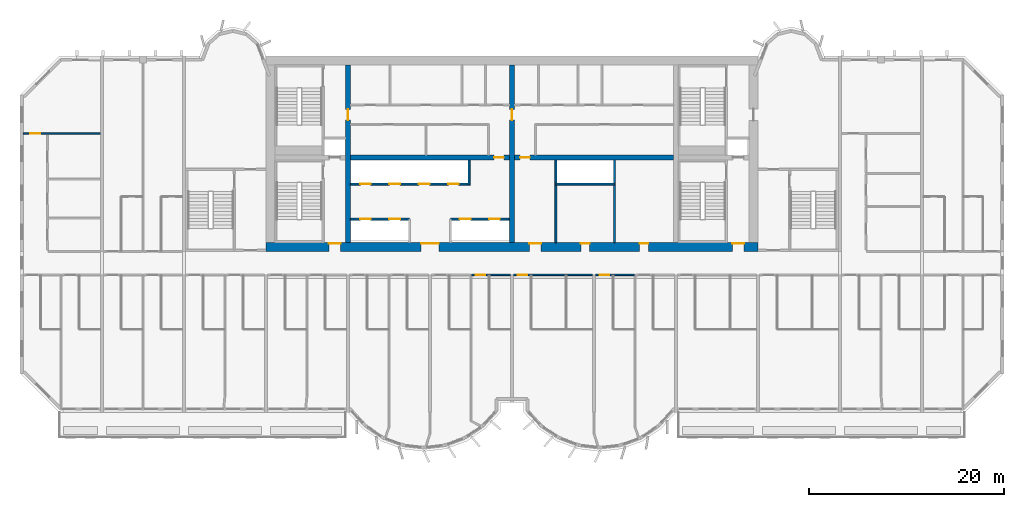
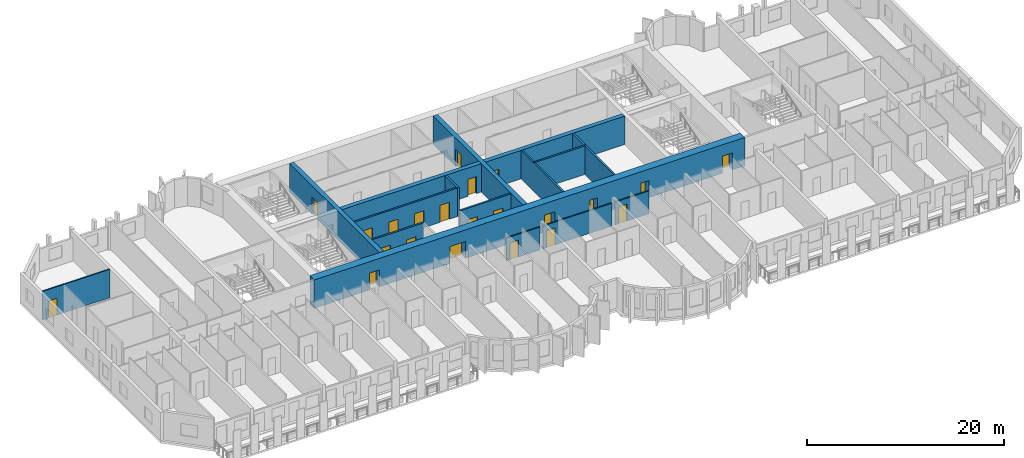
# One storey, part 6 of 14: 22 doors, 16 walls, 22 openings.
"""IFC4 building model written with IfcOpenShell, lengths in metres."""

from ifc_helpers import new_model, si_unit, direction, frame, frame_2d, origin, place, context, subcontext, project, spatial, rectangle, extrude, source, transform, mapped, material, layer, layer_set, type_object, element, fill, save


model = new_model("IFC4")

# Units and contexts
model_context = context("Model", 3, precision=1e-05, world=origin(), true_north=direction((0.0, 1.0)))
body_context = subcontext(model_context, "Body", "Model", "MODEL_VIEW")
ifc_project = project(units=[si_unit("LENGTHUNIT", "METRE"), si_unit("AREAUNIT", "SQUARE_METRE"), si_unit("VOLUMEUNIT", "CUBIC_METRE"), si_unit("PLANEANGLEUNIT", "RADIAN"), si_unit("MASSUNIT", "GRAM", prefix="KILO")], contexts=[model_context])

# Site, building, storey
site_placement = place(None, origin())
site = spatial("IfcSite", under=ifc_project, at=site_placement, CompositionType="ELEMENT")
building_placement = place(site_placement, origin())
building = spatial("IfcBuilding", under=site, at=building_placement, Name="Vanashikhar Sky Hotel", CompositionType="ELEMENT")
storey_placement = place(building_placement, frame((0.0, 0.0, 102.800048828125)))
storey = spatial("IfcBuildingStorey", under=building, at=storey_placement, Name="L24", CompositionType="ELEMENT", Elevation=102.800048828125)

# Wall, openings, doors
ifc_material_1 = material(Name="Concrete M70", Category="concrete")
ifc_layer_1 = layer(ifc_material_1, 0.89990234375)
ifc_layer_set_1 = layer_set([ifc_layer_1], Name="RC core shell wall 900 Concrete M70")
wall_type_1 = type_object("IfcWallType", Name="RC core shell wall 900 Concrete M70", PredefinedType="SHEAR", material=ifc_layer_set_1)
shared_shape_1 = source(origin(), body_context, "Body", "SweptSolid", [
    extrude(rectangle(XDim=50.400146484375, YDim=0.89990234375, at=frame_2d((25.2001953125, 0.0))), origin(), (0.0, 0.0, 1.0), 3.52001953125),
])
wall_1_placement = place(storey_placement, frame((25.199951171875, 22.449951171875, 0.0), z_axis=(0.0, 0.0, 1.0), x_axis=(1.0, 0.0, 0.0)))
wall_1 = element("IfcWall", 1, at=wall_1_placement, inside=storey, type_object=wall_type_1, Name="KW-L24-KS", PredefinedType="SHEAR", context=body_context, shape_type="MappedRepresentation", body=[
    mapped(shared_shape_1, transform((0.0, 0.0, 0.0), scale=1.0)),
])
shared_shape_2 = source(origin(), body_context, "Body", "SweptSolid", [
    extrude(rectangle(XDim=1.800048828125, YDim=2.10009765625, at=frame_2d((0.89990234375, 1.050048828125))), frame((0.0, 0.4599609375, 0.0), z_axis=(0.0, -1.0, 0.0), x_axis=(1.0, 0.0, 0.0)), (0.0, 0.0, 1.0), 0.919921875),
])
opening_1_placement = place(wall_1_placement, frame((15.89990234375, 0.0, 0.0)))
opening_1 = element("IfcOpeningElement", 2, at=opening_1_placement, cuts=wall_1, Name="Opening DC-3-A", PredefinedType="OPENING", context=body_context, shape_type="MappedRepresentation", body=[
    mapped(shared_shape_2, transform((0.0, 0.0, 0.0), scale=1.0)),
])
shared_shape_3 = source(origin(), body_context, "Body", "SweptSolid", [
    extrude(rectangle(XDim=1.199951171875, YDim=2.10009765625, at=frame_2d((0.60009765625, 1.050048828125))), frame((0.0, 0.4599609375, 0.0), z_axis=(0.0, -1.0, 0.0), x_axis=(1.0, 0.0, 0.0)), (0.0, 0.0, 1.0), 0.919921875),
])
opening_2_placement = place(wall_1_placement, frame((26.97509765625, 0.0, 0.0)))
opening_2 = element("IfcOpeningElement", 3, at=opening_2_placement, cuts=wall_1, Name="Opening DC-4-B", PredefinedType="OPENING", context=body_context, shape_type="MappedRepresentation", body=[
    mapped(shared_shape_3, transform((0.0, 0.0, 0.0), scale=1.0)),
])
shared_shape_4 = source(origin(), body_context, "Body", "SweptSolid", [
    extrude(rectangle(XDim=0.89990234375, YDim=2.10009765625, at=frame_2d((0.449951171875, 1.050048828125))), frame((0.0, 0.4599609375, 0.0), z_axis=(0.0, -1.0, 0.0), x_axis=(1.0, 0.0, 0.0)), (0.0, 0.0, 1.0), 0.919921875),
])
opening_3_placement = place(wall_1_placement, frame((32.25, 0.0, 0.0)))
opening_3 = element("IfcOpeningElement", 4, at=opening_3_placement, cuts=wall_1, Name="Opening DC-4-A", PredefinedType="OPENING", context=body_context, shape_type="MappedRepresentation", body=[
    mapped(shared_shape_4, transform((0.0, 0.0, 0.0), scale=1.0)),
])
opening_4_placement = place(wall_1_placement, frame((38.27490234375, 0.0, 0.0)))
opening_4 = element("IfcOpeningElement", 5, at=opening_4_placement, cuts=wall_1, Name="Opening DC-4-A", PredefinedType="OPENING", context=body_context, shape_type="MappedRepresentation", body=[
    mapped(shared_shape_4, transform((0.0, 0.0, 0.0), scale=1.0)),
])
opening_5_placement = place(wall_1_placement, frame((6.449951171875, 0.0, 0.0)))
opening_5 = element("IfcOpeningElement", 6, at=opening_5_placement, cuts=wall_1, Name="Opening DC-2", PredefinedType="OPENING", context=body_context, shape_type="MappedRepresentation", body=[
    mapped(shared_shape_3, transform((0.0, 0.0, 0.0), scale=1.0)),
])
opening_6_placement = place(wall_1_placement, frame((47.77490234375, 0.0, 0.0)))
opening_6 = element("IfcOpeningElement", 7, at=opening_6_placement, cuts=wall_1, Name="Opening DC-2", PredefinedType="OPENING", context=body_context, shape_type="MappedRepresentation", body=[
    mapped(shared_shape_3, transform((0.0, 0.0, 0.0), scale=1.0)),
])
ifc_material_2 = material(Name="Glass", Category="glass")
door_type_1 = type_object("IfcDoorType", Name="Lift lobby entrance door 1800 FD30S", OperationType="NOTDEFINED", PredefinedType="DOOR", material=ifc_material_2)
shared_shape_5 = source(origin(), body_context, "Body", "SweptSolid", [
    extrude(rectangle(XDim=1.800048828125, YDim=2.10009765625, at=frame_2d((0.89990234375, 1.050048828125))), frame((0.0, 0.375, 0.0), z_axis=(0.0, -1.0, 0.0), x_axis=(1.0, 0.0, 0.0)), (0.0, 0.0, 1.0), 0.050048828125),
])
door_1_placement = place(opening_1_placement, origin())
door_1 = element("IfcDoor", 8, at=door_1_placement, inside=storey, type_object=door_type_1, Name="Lift lobby entrance door 1800 FD30S", OperationType="DOUBLE_DOOR_SINGLE_SWING", OverallHeight=2.10009765625, OverallWidth=1.800048828125, PredefinedType="DOOR", context=body_context, shape_type="MappedRepresentation", body=[
    mapped(shared_shape_5, transform((0.0, 0.0, 0.0), scale=1.0)),
])
fill(opening_1, door_1)
ifc_material_3 = material(Name="Steel", Category="steel")
door_type_2 = type_object("IfcDoorType", Name="Service door 1200 FD60", OperationType="NOTDEFINED", PredefinedType="DOOR", material=ifc_material_3)
shared_shape_6 = source(origin(), body_context, "Body", "SweptSolid", [
    extrude(rectangle(XDim=1.199951171875, YDim=2.10009765625, at=frame_2d((0.60009765625, 1.050048828125))), frame((0.0, 0.375, 0.0), z_axis=(0.0, -1.0, 0.0), x_axis=(1.0, 0.0, 0.0)), (0.0, 0.0, 1.0), 0.050048828125),
])
door_2_placement = place(opening_2_placement, origin())
door_2 = element("IfcDoor", 9, at=door_2_placement, inside=storey, type_object=door_type_2, Name="Service door 1200 FD60", OperationType="SINGLE_SWING_LEFT", OverallHeight=2.10009765625, OverallWidth=1.199951171875, PredefinedType="DOOR", context=body_context, shape_type="MappedRepresentation", body=[
    mapped(shared_shape_6, transform((0.0, 0.0, 0.0), scale=1.0)),
])
fill(opening_2, door_2)
door_type_3 = type_object("IfcDoorType", Name="Firefighting lobby door 1200 FD120", OperationType="NOTDEFINED", PredefinedType="DOOR", material=ifc_material_3)
door_3_placement = place(opening_5_placement, origin())
door_3 = element("IfcDoor", 10, at=door_3_placement, inside=storey, type_object=door_type_3, Name="Firefighting lobby door 1200 FD120", OperationType="SINGLE_SWING_LEFT", OverallHeight=2.10009765625, OverallWidth=1.199951171875, PredefinedType="DOOR", context=body_context, shape_type="MappedRepresentation", body=[
    mapped(shared_shape_6, transform((0.0, 0.0, 0.0), scale=1.0)),
])
fill(opening_5, door_3)
door_4_placement = place(opening_6_placement, origin())
door_4 = element("IfcDoor", 11, at=door_4_placement, inside=storey, type_object=door_type_3, Name="Firefighting lobby door 1200 FD120", OperationType="SINGLE_SWING_LEFT", OverallHeight=2.10009765625, OverallWidth=1.199951171875, PredefinedType="DOOR", context=body_context, shape_type="MappedRepresentation", body=[
    mapped(shared_shape_6, transform((0.0, 0.0, 0.0), scale=1.0)),
])
fill(opening_6, door_4)
door_type_4 = type_object("IfcDoorType", Name="Service door 900 FD60", OperationType="NOTDEFINED", PredefinedType="DOOR", material=ifc_material_3)
shared_shape_7 = source(origin(), body_context, "Body", "SweptSolid", [
    extrude(rectangle(XDim=0.89990234375, YDim=2.10009765625, at=frame_2d((0.449951171875, 1.050048828125))), frame((0.0, 0.375, 0.0), z_axis=(0.0, -1.0, 0.0), x_axis=(1.0, 0.0, 0.0)), (0.0, 0.0, 1.0), 0.050048828125),
])
door_5_placement = place(opening_3_placement, origin())
door_5 = element("IfcDoor", 12, at=door_5_placement, inside=storey, type_object=door_type_4, Name="Service door 900 FD60", OperationType="SINGLE_SWING_RIGHT", OverallHeight=2.10009765625, OverallWidth=0.89990234375, PredefinedType="DOOR", context=body_context, shape_type="MappedRepresentation", body=[
    mapped(shared_shape_7, transform((0.0, 0.0, 0.0), scale=1.0)),
])
fill(opening_3, door_5)
door_6_placement = place(opening_4_placement, origin())
door_6 = element("IfcDoor", 13, at=door_6_placement, inside=storey, type_object=door_type_4, Name="Service door 900 FD60", OperationType="SINGLE_SWING_LEFT", OverallHeight=2.10009765625, OverallWidth=0.89990234375, PredefinedType="DOOR", context=body_context, shape_type="MappedRepresentation", body=[
    mapped(shared_shape_7, transform((0.0, 0.0, 0.0), scale=1.0)),
])
fill(opening_4, door_6)

# Wall, opening, door
ifc_layer_2 = layer(ifc_material_1, 0.5)
ifc_layer_set_2 = layer_set([ifc_layer_2], Name="RC core inner wall 500 Concrete M70")
wall_type_2 = type_object("IfcWallType", Name="RC core inner wall 500 Concrete M70", PredefinedType="SHEAR", material=ifc_layer_set_2)
shared_shape_8 = source(origin(), body_context, "Body", "SweptSolid", [
    extrude(rectangle(XDim=18.2001953125, YDim=0.5, at=frame_2d((9.10009765625, 0.0))), origin(), (0.0, 0.0, 1.0), 3.52001953125),
])
wall_2_placement = place(storey_placement, frame((33.60009765625, 22.89990234375, 0.0), z_axis=(0.0, 0.0, 1.0), x_axis=(0.0, 1.0, 0.0)))
wall_2 = element("IfcWall", 14, at=wall_2_placement, inside=storey, type_object=wall_type_2, Name="KW-L24-KX1", PredefinedType="SHEAR", context=body_context, shape_type="MappedRepresentation", body=[
    mapped(shared_shape_8, transform((0.0, 0.0, 0.0), scale=1.0)),
])
shared_shape_9 = source(origin(), body_context, "Body", "SweptSolid", [
    extrude(rectangle(XDim=1.10009765625, YDim=2.10009765625, at=frame_2d((0.550048828125, 1.050048828125))), frame((0.0, 0.260009765625, 0.0), z_axis=(0.0, -1.0, 0.0), x_axis=(1.0, 0.0, 0.0)), (0.0, 0.0, 1.0), 0.52001953125),
])
opening_7_placement = place(wall_2_placement, frame((12.550048828125, 0.0, 0.0)))
opening_7 = element("IfcOpeningElement", 15, at=opening_7_placement, cuts=wall_2, Name="Opening DC-4-C", PredefinedType="OPENING", context=body_context, shape_type="MappedRepresentation", body=[
    mapped(shared_shape_9, transform((0.0, 0.0, 0.0), scale=1.0)),
])
door_type_5 = type_object("IfcDoorType", Name="Service door 1100 FD60", OperationType="NOTDEFINED", PredefinedType="DOOR", material=ifc_material_3)
shared_shape_10 = source(origin(), body_context, "Body", "SweptSolid", [
    extrude(rectangle(XDim=1.10009765625, YDim=2.10009765625, at=frame_2d((0.550048828125, 1.050048828125))), frame((0.0, 0.02490234375, 0.0), z_axis=(0.0, -1.0, 0.0), x_axis=(1.0, 0.0, 0.0)), (0.0, 0.0, 1.0), 0.050048828125),
])
door_7_placement = place(opening_7_placement, origin())
door_7 = element("IfcDoor", 16, at=door_7_placement, inside=storey, type_object=door_type_5, Name="Service door 1100 FD60", OperationType="SINGLE_SWING_LEFT", OverallHeight=2.10009765625, OverallWidth=1.10009765625, PredefinedType="DOOR", context=body_context, shape_type="MappedRepresentation", body=[
    mapped(shared_shape_10, transform((0.0, 0.0, 0.0), scale=1.0)),
])
fill(opening_7, door_7)

wall_3_placement = place(storey_placement, frame((50.39990234375, 22.89990234375, 0.0), z_axis=(0.0, 0.0, 1.0), x_axis=(0.0, 1.0, 0.0)))
wall_3 = element("IfcWall", 17, at=wall_3_placement, inside=storey, type_object=wall_type_2, Name="KW-L24-KX2", PredefinedType="SHEAR", context=body_context, shape_type="MappedRepresentation", body=[
    mapped(shared_shape_8, transform((0.0, 0.0, 0.0), scale=1.0)),
])
opening_8_placement = place(wall_3_placement, frame((12.550048828125, 0.0, 0.0)))
opening_8 = element("IfcOpeningElement", 18, at=opening_8_placement, cuts=wall_3, Name="Opening DC-4-C", PredefinedType="OPENING", context=body_context, shape_type="MappedRepresentation", body=[
    mapped(shared_shape_9, transform((0.0, 0.0, 0.0), scale=1.0)),
])
door_8_placement = place(opening_8_placement, origin())
door_8 = element("IfcDoor", 19, at=door_8_placement, inside=storey, type_object=door_type_5, Name="Service door 1100 FD60", OperationType="SINGLE_SWING_RIGHT", OverallHeight=2.10009765625, OverallWidth=1.10009765625, PredefinedType="DOOR", context=body_context, shape_type="MappedRepresentation", body=[
    mapped(shared_shape_10, transform((0.0, 0.0, 0.0), scale=1.0)),
])
fill(opening_8, door_8)

shared_shape_11 = source(origin(), body_context, "Body", "SweptSolid", [
    extrude(rectangle(XDim=16.2998046875, YDim=0.5, at=frame_2d((8.14990234375, 0.0))), origin(), (0.0, 0.0, 1.0), 3.52001953125),
])
wall_4_placement = place(storey_placement, frame((33.85009765625, 31.60009765625, 0.0), z_axis=(0.0, 0.0, 1.0), x_axis=(1.0, 0.0, 0.0)))
wall_4 = element("IfcWall", 20, at=wall_4_placement, inside=storey, type_object=wall_type_2, Name="KW-L24-KY2", PredefinedType="SHEAR", context=body_context, shape_type="MappedRepresentation", body=[
    mapped(shared_shape_11, transform((0.0, 0.0, 0.0), scale=1.0)),
])
shared_shape_12 = source(origin(), body_context, "Body", "SweptSolid", [
    extrude(rectangle(XDim=1.0, YDim=2.10009765625, at=frame_2d((0.5, 1.050048828125))), frame((0.0, 0.260009765625, 0.0), z_axis=(0.0, -1.0, 0.0), x_axis=(1.0, 0.0, 0.0)), (0.0, 0.0, 1.0), 0.52001953125),
])
opening_9_placement = place(wall_4_placement, frame((14.72509765625, 0.0, 0.0)))
opening_9 = element("IfcOpeningElement", 21, at=opening_9_placement, cuts=wall_4, Name="Opening DC-4", PredefinedType="OPENING", context=body_context, shape_type="MappedRepresentation", body=[
    mapped(shared_shape_12, transform((0.0, 0.0, 0.0), scale=1.0)),
])
door_type_6 = type_object("IfcDoorType", Name="Service door 1000 FD60", OperationType="NOTDEFINED", PredefinedType="DOOR", material=ifc_material_3)
shared_shape_13 = source(origin(), body_context, "Body", "SweptSolid", [
    extrude(rectangle(XDim=1.0, YDim=2.10009765625, at=frame_2d((0.5, 1.050048828125))), frame((0.0, 0.02490234375, 0.0), z_axis=(0.0, -1.0, 0.0), x_axis=(1.0, 0.0, 0.0)), (0.0, 0.0, 1.0), 0.050048828125),
])
door_9_placement = place(opening_9_placement, origin())
door_9 = element("IfcDoor", 22, at=door_9_placement, inside=storey, type_object=door_type_6, Name="Service door 1000 FD60", OperationType="SINGLE_SWING_LEFT", OverallHeight=2.10009765625, OverallWidth=1.0, PredefinedType="DOOR", context=body_context, shape_type="MappedRepresentation", body=[
    mapped(shared_shape_13, transform((0.0, 0.0, 0.0), scale=1.0)),
])
fill(opening_9, door_9)

shared_shape_14 = source(origin(), body_context, "Body", "SweptSolid", [
    extrude(rectangle(XDim=16.300048828125, YDim=0.5, at=frame_2d((8.14990234375, 0.0))), origin(), (0.0, 0.0, 1.0), 3.52001953125),
])
wall_5_placement = place(storey_placement, frame((50.64990234375, 31.60009765625, 0.0), z_axis=(0.0, 0.0, 1.0), x_axis=(1.0, 0.0, 0.0)))
wall_5 = element("IfcWall", 23, at=wall_5_placement, inside=storey, type_object=wall_type_2, Name="KW-L24-KY3", PredefinedType="SHEAR", context=body_context, shape_type="MappedRepresentation", body=[
    mapped(shared_shape_14, transform((0.0, 0.0, 0.0), scale=1.0)),
])
opening_10_placement = place(wall_5_placement, frame((0.574951171875, 0.0, 0.0)))
opening_10 = element("IfcOpeningElement", 24, at=opening_10_placement, cuts=wall_5, Name="Opening DC-4", PredefinedType="OPENING", context=body_context, shape_type="MappedRepresentation", body=[
    mapped(shared_shape_12, transform((0.0, 0.0, 0.0), scale=1.0)),
])
door_10_placement = place(opening_10_placement, origin())
door_10 = element("IfcDoor", 25, at=door_10_placement, inside=storey, type_object=door_type_6, Name="Service door 1000 FD60", OperationType="SINGLE_SWING_LEFT", OverallHeight=2.10009765625, OverallWidth=1.0, PredefinedType="DOOR", context=body_context, shape_type="MappedRepresentation", body=[
    mapped(shared_shape_13, transform((0.0, 0.0, 0.0), scale=1.0)),
])
fill(opening_10, door_10)

# Wall, openings, doors
ifc_material_4 = material(Name="Concrete M40", Category="concrete")
ifc_layer_3 = layer(ifc_material_4, 0.199951171875)
ifc_layer_set_3 = layer_set([ifc_layer_3], Name="Shaft wall 200")
wall_type_3 = type_object("IfcWallType", Name="Shaft wall 200", PredefinedType="SOLIDWALL", material=ifc_layer_set_3)
shared_shape_15 = source(origin(), body_context, "Body", "SweptSolid", [
    extrude(rectangle(XDim=6.0, YDim=0.199951171875, at=frame_2d((3.0, 0.0))), origin(), (0.0, 0.0, 1.0), 3.52001953125),
])
wall_6_placement = place(storey_placement, frame((44.10009765625, 25.300048828125, 0.0), z_axis=(0.0, 0.0, 1.0), x_axis=(1.0, 0.0, 0.0)))
wall_6 = element("IfcWall", 26, at=wall_6_placement, inside=storey, type_object=wall_type_3, Name="Shaft wall 200", PredefinedType="SOLIDWALL", context=body_context, shape_type="MappedRepresentation", body=[
    mapped(shared_shape_15, transform((0.0, 0.0, 0.0), scale=1.0)),
])
shared_shape_16 = source(origin(), body_context, "Body", "SweptSolid", [
    extrude(rectangle(XDim=1.10009765625, YDim=2.10009765625, at=frame_2d((0.550048828125, 1.050048828125))), frame((0.0, 0.10986328125, 0.0), z_axis=(0.0, -1.0, 0.0), x_axis=(1.0, 0.0, 0.0)), (0.0, 0.0, 1.0), 0.219970703125),
])
opening_11_placement = place(wall_6_placement, frame((0.949951171875, 0.0, 0.0)))
opening_11 = element("IfcOpeningElement", 27, at=opening_11_placement, cuts=wall_6, Name="Opening LD", PredefinedType="OPENING", context=body_context, shape_type="MappedRepresentation", body=[
    mapped(shared_shape_16, transform((0.0, 0.0, 0.0), scale=1.0)),
])
opening_12_placement = place(wall_6_placement, frame((3.949951171875, 0.0, 0.0)))
opening_12 = element("IfcOpeningElement", 28, at=opening_12_placement, cuts=wall_6, Name="Opening LD", PredefinedType="OPENING", context=body_context, shape_type="MappedRepresentation", body=[
    mapped(shared_shape_16, transform((0.0, 0.0, 0.0), scale=1.0)),
])
ifc_material_5 = material(Name="Stainless steel", Category="steel")
door_type_7 = type_object("IfcDoorType", Name="Lift landing door 1100", OperationType="NOTDEFINED", PredefinedType="DOOR", material=ifc_material_5)
door_11_placement = place(opening_11_placement, origin())
door_11 = element("IfcDoor", 29, at=door_11_placement, inside=storey, type_object=door_type_7, Name="Lift landing door 1100", OperationType="SLIDING_TO_LEFT", OverallHeight=2.10009765625, OverallWidth=1.10009765625, PredefinedType="DOOR", context=body_context, shape_type="MappedRepresentation", body=[
    mapped(shared_shape_10, transform((0.0, 0.0, 0.0), scale=1.0)),
])
fill(opening_11, door_11)
door_12_placement = place(opening_12_placement, origin())
door_12 = element("IfcDoor", 30, at=door_12_placement, inside=storey, type_object=door_type_7, Name="Lift landing door 1100", OperationType="SLIDING_TO_RIGHT", OverallHeight=2.10009765625, OverallWidth=1.10009765625, PredefinedType="DOOR", context=body_context, shape_type="MappedRepresentation", body=[
    mapped(shared_shape_10, transform((0.0, 0.0, 0.0), scale=1.0)),
])
fill(opening_12, door_12)

# Wall
wall_7_placement = place(storey_placement, frame((60.89990234375, 28.89990234375, 0.0), z_axis=(0.0, 0.0, 1.0), x_axis=(-1.0, 0.0, 0.0)))
element("IfcWall", 31, at=wall_7_placement, inside=storey, type_object=wall_type_3, Name="Shaft wall 200", PredefinedType="SOLIDWALL", context=body_context, shape_type="MappedRepresentation", body=[
    mapped(shared_shape_15, transform((0.0, 0.0, 0.0), scale=1.0)),
])

# Wall, openings, doors
shared_shape_17 = source(origin(), body_context, "Body", "SweptSolid", [
    extrude(rectangle(XDim=6.0498046875, YDim=0.199951171875, at=frame_2d((3.02490234375, 0.0))), origin(), (0.0, 0.0, 1.0), 3.52001953125),
])
wall_8_placement = place(storey_placement, frame((33.85009765625, 25.300048828125, 0.0), z_axis=(0.0, 0.0, 1.0), x_axis=(1.0, 0.0, 0.0)))
wall_8 = element("IfcWall", 32, at=wall_8_placement, inside=storey, type_object=wall_type_3, Name="Shaft wall 200", PredefinedType="SOLIDWALL", context=body_context, shape_type="MappedRepresentation", body=[
    mapped(shared_shape_17, transform((0.0, 0.0, 0.0), scale=1.0)),
])
opening_13_placement = place(wall_8_placement, frame((1.0, 0.0, 0.0)))
opening_13 = element("IfcOpeningElement", 33, at=opening_13_placement, cuts=wall_8, Name="Opening LD", PredefinedType="OPENING", context=body_context, shape_type="MappedRepresentation", body=[
    mapped(shared_shape_16, transform((0.0, 0.0, 0.0), scale=1.0)),
])
opening_14_placement = place(wall_8_placement, frame((4.0, 0.0, 0.0)))
opening_14 = element("IfcOpeningElement", 34, at=opening_14_placement, cuts=wall_8, Name="Opening LD", PredefinedType="OPENING", context=body_context, shape_type="MappedRepresentation", body=[
    mapped(shared_shape_16, transform((0.0, 0.0, 0.0), scale=1.0)),
])
door_13_placement = place(opening_13_placement, origin())
door_13 = element("IfcDoor", 35, at=door_13_placement, inside=storey, type_object=door_type_7, Name="Lift landing door 1100", OperationType="SLIDING_TO_LEFT", OverallHeight=2.10009765625, OverallWidth=1.10009765625, PredefinedType="DOOR", context=body_context, shape_type="MappedRepresentation", body=[
    mapped(shared_shape_10, transform((0.0, 0.0, 0.0), scale=1.0)),
])
fill(opening_13, door_13)
door_14_placement = place(opening_14_placement, origin())
door_14 = element("IfcDoor", 36, at=door_14_placement, inside=storey, type_object=door_type_7, Name="Lift landing door 1100", OperationType="SLIDING_TO_RIGHT", OverallHeight=2.10009765625, OverallWidth=1.10009765625, PredefinedType="DOOR", context=body_context, shape_type="MappedRepresentation", body=[
    mapped(shared_shape_10, transform((0.0, 0.0, 0.0), scale=1.0)),
])
fill(opening_14, door_14)

shared_shape_18 = source(origin(), body_context, "Body", "SweptSolid", [
    extrude(rectangle(XDim=12.0498046875, YDim=0.199951171875, at=frame_2d((6.02490234375, 0.0))), origin(), (0.0, 0.0, 1.0), 3.52001953125),
])
wall_9_placement = place(storey_placement, frame((33.85009765625, 28.89990234375, 0.0), z_axis=(0.0, 0.0, 1.0), x_axis=(1.0, 0.0, 0.0)))
wall_9 = element("IfcWall", 37, at=wall_9_placement, inside=storey, type_object=wall_type_3, Name="Shaft wall 200", PredefinedType="SOLIDWALL", context=body_context, shape_type="MappedRepresentation", body=[
    mapped(shared_shape_18, transform((0.0, 0.0, 0.0), scale=1.0)),
])
opening_15_placement = place(wall_9_placement, frame((1.0, 0.0, 0.0)))
opening_15 = element("IfcOpeningElement", 38, at=opening_15_placement, cuts=wall_9, Name="Opening LD", PredefinedType="OPENING", context=body_context, shape_type="MappedRepresentation", body=[
    mapped(shared_shape_16, transform((0.0, 0.0, 0.0), scale=1.0)),
])
opening_16_placement = place(wall_9_placement, frame((4.0, 0.0, 0.0)))
opening_16 = element("IfcOpeningElement", 39, at=opening_16_placement, cuts=wall_9, Name="Opening LD", PredefinedType="OPENING", context=body_context, shape_type="MappedRepresentation", body=[
    mapped(shared_shape_16, transform((0.0, 0.0, 0.0), scale=1.0)),
])
opening_17_placement = place(wall_9_placement, frame((7.0, 0.0, 0.0)))
opening_17 = element("IfcOpeningElement", 40, at=opening_17_placement, cuts=wall_9, Name="Opening LD", PredefinedType="OPENING", context=body_context, shape_type="MappedRepresentation", body=[
    mapped(shared_shape_16, transform((0.0, 0.0, 0.0), scale=1.0)),
])
opening_18_placement = place(wall_9_placement, frame((10.0, 0.0, 0.0)))
opening_18 = element("IfcOpeningElement", 41, at=opening_18_placement, cuts=wall_9, Name="Opening LD", PredefinedType="OPENING", context=body_context, shape_type="MappedRepresentation", body=[
    mapped(shared_shape_16, transform((0.0, 0.0, 0.0), scale=1.0)),
])
door_15_placement = place(opening_15_placement, origin())
door_15 = element("IfcDoor", 42, at=door_15_placement, inside=storey, type_object=door_type_7, Name="Lift landing door 1100", OperationType="SLIDING_TO_LEFT", OverallHeight=2.10009765625, OverallWidth=1.10009765625, PredefinedType="DOOR", context=body_context, shape_type="MappedRepresentation", body=[
    mapped(shared_shape_10, transform((0.0, 0.0, 0.0), scale=1.0)),
])
fill(opening_15, door_15)
door_16_placement = place(opening_16_placement, origin())
door_16 = element("IfcDoor", 43, at=door_16_placement, inside=storey, type_object=door_type_7, Name="Lift landing door 1100", OperationType="SLIDING_TO_RIGHT", OverallHeight=2.10009765625, OverallWidth=1.10009765625, PredefinedType="DOOR", context=body_context, shape_type="MappedRepresentation", body=[
    mapped(shared_shape_10, transform((0.0, 0.0, 0.0), scale=1.0)),
])
fill(opening_16, door_16)
door_17_placement = place(opening_17_placement, origin())
door_17 = element("IfcDoor", 44, at=door_17_placement, inside=storey, type_object=door_type_7, Name="Lift landing door 1100", OperationType="SLIDING_TO_LEFT", OverallHeight=2.10009765625, OverallWidth=1.10009765625, PredefinedType="DOOR", context=body_context, shape_type="MappedRepresentation", body=[
    mapped(shared_shape_10, transform((0.0, 0.0, 0.0), scale=1.0)),
])
fill(opening_17, door_17)
door_18_placement = place(opening_18_placement, origin())
door_18 = element("IfcDoor", 45, at=door_18_placement, inside=storey, type_object=door_type_7, Name="Lift landing door 1100", OperationType="SLIDING_TO_RIGHT", OverallHeight=2.10009765625, OverallWidth=1.10009765625, PredefinedType="DOOR", context=body_context, shape_type="MappedRepresentation", body=[
    mapped(shared_shape_10, transform((0.0, 0.0, 0.0), scale=1.0)),
])
fill(opening_18, door_18)

# Walls
shared_shape_19 = source(origin(), body_context, "Body", "SweptSolid", [
    extrude(rectangle(XDim=2.550048828125, YDim=0.199951171875, at=frame_2d((1.27490234375, 0.0))), origin(), (0.0, 0.0, 1.0), 3.52001953125),
])
wall_10_placement = place(storey_placement, frame((46.0, 28.800048828125, 0.0), z_axis=(0.0, 0.0, 1.0), x_axis=(0.0, 1.0, 0.0)))
element("IfcWall", 46, at=wall_10_placement, inside=storey, type_object=wall_type_3, Name="Shaft wall 200", PredefinedType="SOLIDWALL", context=body_context, shape_type="MappedRepresentation", body=[
    mapped(shared_shape_19, transform((0.0, 0.0, 0.0), scale=1.0)),
])
ifc_material_6 = material(Name="Gypsum board partition")
ifc_layer_4 = layer(ifc_material_6, 0.14990234375)
ifc_layer_set_4 = layer_set([ifc_layer_4], Name="Service partition 150")
wall_type_4 = type_object("IfcWallType", Name="Service partition 150", PredefinedType="PARTITIONING", material=ifc_layer_set_4)
shared_shape_20 = source(origin(), body_context, "Body", "SweptSolid", [
    extrude(rectangle(XDim=8.4501953125, YDim=0.199951171875, at=frame_2d((4.22509765625, 0.0))), origin(), (0.0, 0.0, 1.0), 3.52001953125),
])
for number, where, z_axis, x_axis, name in (
    (47, (54.89990234375, 22.89990234375, 0.0), (0.0, 0.0, 1.0), (0.0, 1.0, 0.0), "Service partition 150"),
    (48, (60.89990234375, 22.89990234375, 0.0), (0.0, 0.0, 1.0), (0.0, 1.0, 0.0), "Service partition 150"),
):
    element("IfcWall", number, at=place(storey_placement, frame(where, z_axis=z_axis, x_axis=x_axis)), inside=storey, type_object=wall_type_4, Name=name, PredefinedType="PARTITIONING", context=body_context, shape_type="MappedRepresentation", body=[
        mapped(shared_shape_20, transform((0.0, 0.0, 0.0), scale=1.0)),
    ])

# Wall, opening, door
ifc_material_7 = material(Name="Gypsum plasterboard partition")
ifc_layer_5 = layer(ifc_material_7, 0.14990234375)
ifc_layer_set_5 = layer_set([ifc_layer_5], Name="Corridor and demising partition 150")
wall_type_5 = type_object("IfcWallType", Name="Corridor and demising partition 150", PredefinedType="PARTITIONING", material=ifc_layer_set_5)
shared_shape_21 = source(origin(), body_context, "Body", "SweptSolid", [
    extrude(rectangle(XDim=3.9501953125, YDim=0.14990234375, at=frame_2d((1.97509765625, 0.0))), origin(), (0.0, 0.0, 1.0), 2.820068359375),
])
wall_11_placement = place(storey_placement, frame((46.27490234375, 19.60009765625, 0.0), z_axis=(0.0, 0.0, 1.0), x_axis=(1.0, 0.0, 0.0)))
wall_11 = element("IfcWall", 49, at=wall_11_placement, inside=storey, type_object=wall_type_5, Name="W-L24-PW041", PredefinedType="PARTITIONING", context=body_context, shape_type="MappedRepresentation", body=[
    mapped(shared_shape_21, transform((0.0, 0.0, 0.0), scale=1.0)),
])
shared_shape_22 = source(origin(), body_context, "Body", "SweptSolid", [
    extrude(rectangle(XDim=1.0, YDim=2.10009765625, at=frame_2d((0.5, 1.050048828125))), frame((0.0, 0.0849609375, 0.0), z_axis=(0.0, -1.0, 0.0), x_axis=(1.0, 0.0, 0.0)), (0.0, 0.0, 1.0), 0.169921875),
])
opening_19_placement = place(wall_11_placement, frame((0.39990234375, 0.0, 0.0)))
opening_19 = element("IfcOpeningElement", 50, at=opening_19_placement, cuts=wall_11, Name="Opening D-01", PredefinedType="OPENING", context=body_context, shape_type="MappedRepresentation", body=[
    mapped(shared_shape_22, transform((0.0, 0.0, 0.0), scale=1.0)),
])
ifc_material_8 = material(Name="Timber fire door", Category="wood")
door_type_8 = type_object("IfcDoorType", Name="Guest entry door 1000 FD30S", OperationType="NOTDEFINED", PredefinedType="DOOR", material=ifc_material_8)
door_19_placement = place(opening_19_placement, origin())
door_19 = element("IfcDoor", 51, at=door_19_placement, inside=storey, type_object=door_type_8, Name="D-L24-024", OperationType="SINGLE_SWING_LEFT", OverallHeight=2.10009765625, OverallWidth=1.0, PredefinedType="DOOR", context=body_context, shape_type="MappedRepresentation", body=[
    mapped(shared_shape_13, transform((0.0, 0.0, 0.0), scale=1.0)),
])
fill(opening_19, door_19)

shared_shape_23 = source(origin(), body_context, "Body", "SweptSolid", [
    extrude(rectangle(XDim=8.050048828125, YDim=0.14990234375, at=frame_2d((4.02490234375, 0.0))), origin(), (0.0, 0.0, 1.0), 2.820068359375),
])
wall_12_placement = place(storey_placement, frame((50.574951171875, 19.60009765625, 0.0), z_axis=(0.0, 0.0, 1.0), x_axis=(1.0, 0.0, 0.0)))
wall_12 = element("IfcWall", 52, at=wall_12_placement, inside=storey, type_object=wall_type_5, Name="W-L24-PW047", PredefinedType="PARTITIONING", context=body_context, shape_type="MappedRepresentation", body=[
    mapped(shared_shape_23, transform((0.0, 0.0, 0.0), scale=1.0)),
])
opening_20_placement = place(wall_12_placement, frame((0.39990234375, 0.0, 0.0)))
opening_20 = element("IfcOpeningElement", 53, at=opening_20_placement, cuts=wall_12, Name="Opening D-01", PredefinedType="OPENING", context=body_context, shape_type="MappedRepresentation", body=[
    mapped(shared_shape_22, transform((0.0, 0.0, 0.0), scale=1.0)),
])
door_20_placement = place(opening_20_placement, origin())
door_20 = element("IfcDoor", 54, at=door_20_placement, inside=storey, type_object=door_type_8, Name="D-L24-027", OperationType="SINGLE_SWING_LEFT", OverallHeight=2.10009765625, OverallWidth=1.0, PredefinedType="DOOR", context=body_context, shape_type="MappedRepresentation", body=[
    mapped(shared_shape_13, transform((0.0, 0.0, 0.0), scale=1.0)),
])
fill(opening_20, door_20)

shared_shape_24 = source(origin(), body_context, "Body", "SweptSolid", [
    extrude(rectangle(XDim=3.949951171875, YDim=0.14990234375, at=frame_2d((1.97509765625, 0.0))), origin(), (0.0, 0.0, 1.0), 2.820068359375),
])
wall_13_placement = place(storey_placement, frame((58.97509765625, 19.60009765625, 0.0), z_axis=(0.0, 0.0, 1.0), x_axis=(1.0, 0.0, 0.0)))
wall_13 = element("IfcWall", 55, at=wall_13_placement, inside=storey, type_object=wall_type_5, Name="W-L24-PW050", PredefinedType="PARTITIONING", context=body_context, shape_type="MappedRepresentation", body=[
    mapped(shared_shape_24, transform((0.0, 0.0, 0.0), scale=1.0)),
])
opening_21_placement = place(wall_13_placement, frame((0.39990234375, 0.0, 0.0)))
opening_21 = element("IfcOpeningElement", 56, at=opening_21_placement, cuts=wall_13, Name="Opening D-01", PredefinedType="OPENING", context=body_context, shape_type="MappedRepresentation", body=[
    mapped(shared_shape_22, transform((0.0, 0.0, 0.0), scale=1.0)),
])
door_21_placement = place(opening_21_placement, origin())
door_21 = element("IfcDoor", 57, at=door_21_placement, inside=storey, type_object=door_type_8, Name="D-L24-029", OperationType="SINGLE_SWING_LEFT", OverallHeight=2.10009765625, OverallWidth=1.0, PredefinedType="DOOR", context=body_context, shape_type="MappedRepresentation", body=[
    mapped(shared_shape_13, transform((0.0, 0.0, 0.0), scale=1.0)),
])
fill(opening_21, door_21)

shared_shape_25 = source(origin(), body_context, "Body", "SweptSolid", [
    extrude(rectangle(XDim=7.875, YDim=0.14990234375, at=frame_2d((3.9375, 0.0))), origin(), (0.0, 0.0, 1.0), 3.52001953125),
])
wall_14_placement = place(storey_placement, frame((0.35009765625, 34.074951171875, 0.0), z_axis=(0.0, 0.0, 1.0), x_axis=(1.0, 0.0, 0.0)))
wall_14 = element("IfcWall", 58, at=wall_14_placement, inside=storey, type_object=wall_type_5, Name="W-L24-PW087", PredefinedType="PARTITIONING", context=body_context, shape_type="MappedRepresentation", body=[
    mapped(shared_shape_25, transform((0.0, 0.0, 0.0), scale=1.0)),
])
opening_22_placement = place(wall_14_placement, frame((0.699951171875, 0.0, 0.0)))
opening_22 = element("IfcOpeningElement", 59, at=opening_22_placement, cuts=wall_14, Name="Opening D-01", PredefinedType="OPENING", context=body_context, shape_type="MappedRepresentation", body=[
    mapped(shared_shape_22, transform((0.0, 0.0, 0.0), scale=1.0)),
])
door_22_placement = place(opening_22_placement, origin())
door_22 = element("IfcDoor", 60, at=door_22_placement, inside=storey, type_object=door_type_8, Name="D-L24-049", OperationType="SINGLE_SWING_LEFT", OverallHeight=2.10009765625, OverallWidth=1.0, PredefinedType="DOOR", context=body_context, shape_type="MappedRepresentation", body=[
    mapped(shared_shape_13, transform((0.0, 0.0, 0.0), scale=1.0)),
])
fill(opening_22, door_22)

save(model, "model.ifc")
